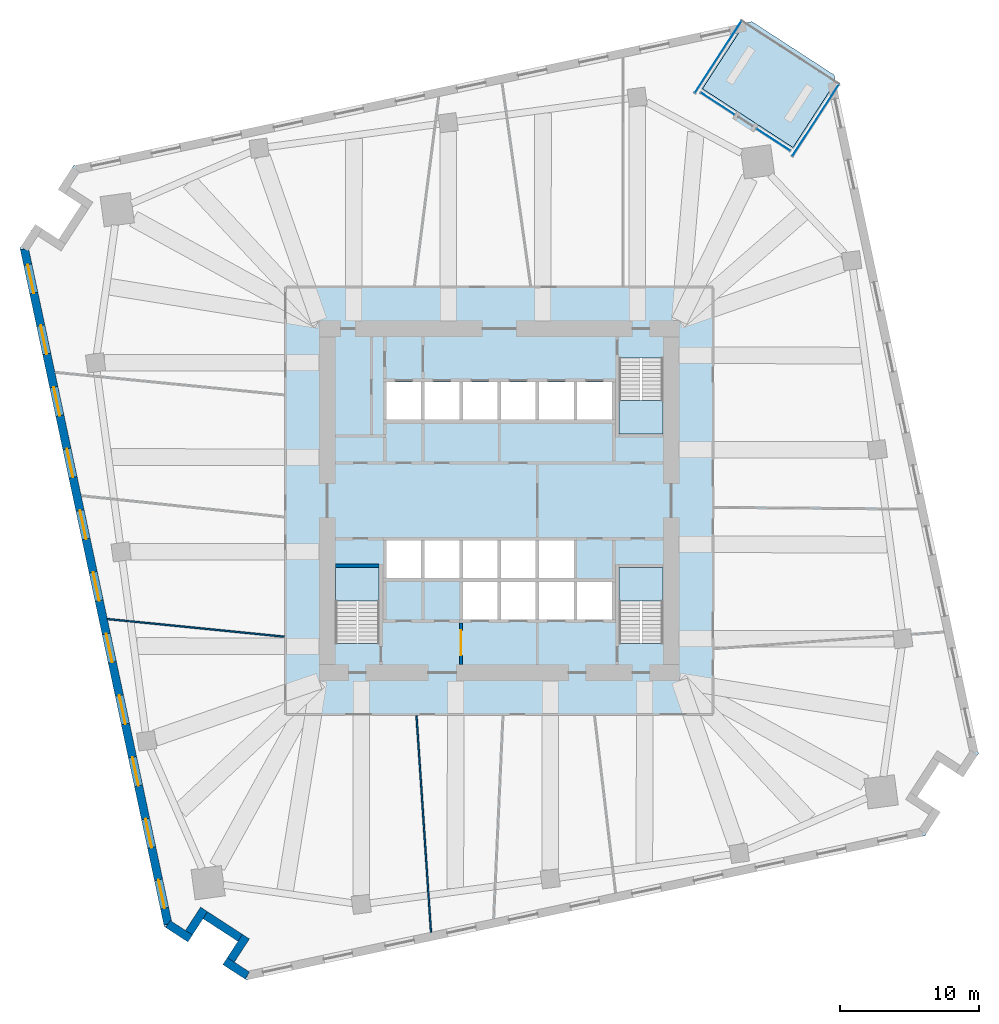
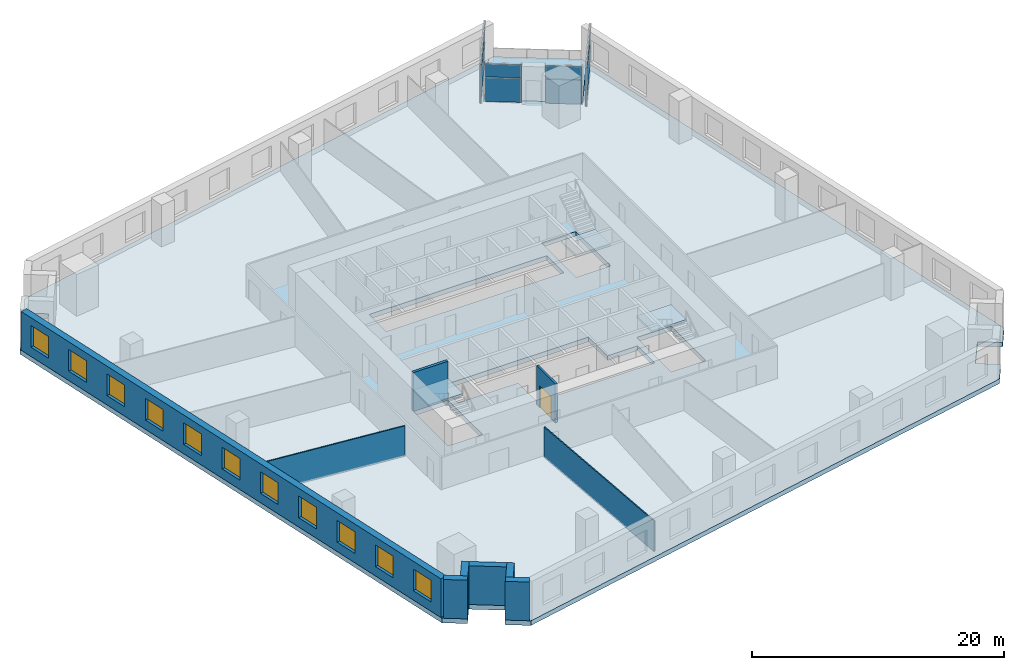
# One storey, part 3 of 10: 11 windows, 10 walls, 8 plates, 5 slabs, 1 door, 12 openings, 7 elements without a shape of their own.
"""IFC4 building model written with IfcOpenShell, lengths in metres."""

from ifc_helpers import new_model, si_unit, direction, frame, frame_2d, origin, origin_2d, place, context, subcontext, project, spatial, polyline, rectangle, outline, extrude, material, layer, layer_set, type_object, element, fill, aggregate, save


model = new_model("IFC4")

# Units and contexts
model_context = context("Model", 3, precision=1e-05, world=origin(), true_north=direction((0.0, 1.0)))
body_context = subcontext(model_context, "Body", "Model", "MODEL_VIEW")
ifc_project = project(units=[si_unit("LENGTHUNIT", "METRE"), si_unit("AREAUNIT", "SQUARE_METRE"), si_unit("VOLUMEUNIT", "CUBIC_METRE"), si_unit("PLANEANGLEUNIT", "RADIAN"), si_unit("MASSUNIT", "GRAM", prefix="KILO")], contexts=[model_context])

# Site, building, storey
site_placement = place(None, origin())
site = spatial("IfcSite", under=ifc_project, at=site_placement, CompositionType="ELEMENT")
building_placement = place(site_placement, origin())
building = spatial("IfcBuilding", under=site, at=building_placement, Name="Dilmun Exchange Tower", CompositionType="ELEMENT")
storey_placement = place(building_placement, frame((0.0, 0.0, 72.300048828125)))
storey = spatial("IfcBuildingStorey", under=building, at=storey_placement, Name="L16", CompositionType="ELEMENT", Elevation=72.300048828125)

# Stair, slab
ifc_material_1 = material(Name="Concrete C40/50", Category="concrete")
stair_type = type_object("IfcStairType", Name="Exit stair 1500 half-turn", PredefinedType="HALF_TURN_STAIR", material=ifc_material_1)
stair_1_placement = place(storey_placement, origin())
stair_1 = element("IfcStair", 1, at=stair_1_placement, inside=storey, type_object=stair_type, Name="L16 Protected exit stair ST1", PredefinedType="HALF_TURN_STAIR")
ifc_layer_1 = layer(ifc_material_1, 0.199951171875)
ifc_layer_set_1 = layer_set([ifc_layer_1], Name="Concrete C40/50")
slab_type_1 = type_object("IfcSlabType", Name="Exit stair landing 200", PredefinedType="LANDING", material=ifc_layer_set_1)
slab_1_placement = place(storey_placement, frame((0.0, 0.0, 1.89990234375)))
slab_1 = element("IfcSlab", 2, at=slab_1_placement, type_object=slab_type_1, Name="ST1 landing 1", PredefinedType="LANDING", context=body_context, shape_type="SweptSolid", body=[
    extrude(outline(polyline([(8.64990234375, 7.219970703125), (8.64990234375, 4.800048828125), (11.800048828125, 4.800048828125), (11.800048828125, 7.219970703125), (8.64990234375, 7.219970703125)])), origin(), (0.0, 0.0, 1.0), 0.199951171875),
])
aggregate(stair_1, [slab_1])

stair_2_placement = place(storey_placement, origin())
stair_2 = element("IfcStair", 3, at=stair_2_placement, inside=storey, type_object=stair_type, Name="L16 Protected exit stair ST2", PredefinedType="HALF_TURN_STAIR")
slab_2_placement = place(storey_placement, frame((0.0, 0.0, 1.89990234375)))
slab_2 = element("IfcSlab", 4, at=slab_2_placement, type_object=slab_type_1, Name="ST2 landing 1", PredefinedType="LANDING", context=body_context, shape_type="SweptSolid", body=[
    extrude(outline(polyline([(-8.64990234375, -7.219970703125), (-8.64990234375, -4.800048828125), (-11.800048828125, -4.800048828125), (-11.800048828125, -7.219970703125), (-8.64990234375, -7.219970703125)])), origin(), (0.0, 0.0, 1.0), 0.199951171875),
])
aggregate(stair_2, [slab_2])

stair_3_placement = place(storey_placement, origin())
stair_3 = element("IfcStair", 5, at=stair_3_placement, inside=storey, type_object=stair_type, Name="L16 Protected exit stair ST3", PredefinedType="HALF_TURN_STAIR")
slab_3_placement = place(storey_placement, frame((0.0, 0.0, 1.89990234375)))
slab_3 = element("IfcSlab", 6, at=slab_3_placement, type_object=slab_type_1, Name="ST3 landing 1", PredefinedType="LANDING", context=body_context, shape_type="SweptSolid", body=[
    extrude(outline(polyline([(11.800048828125, -7.219970703125), (11.800048828125, -4.800048828125), (8.64990234375, -4.800048828125), (8.64990234375, -7.219970703125), (11.800048828125, -7.219970703125)])), origin(), (0.0, 0.0, 1.0), 0.199951171875),
])
aggregate(stair_3, [slab_3])

# Curtain wall, plates
ifc_material_2 = material(Name="Anodised aluminium and clear glass", Category="aluminium")
curtain_wall_type = type_object("IfcCurtainWallType", Name="Garden corner glazing", PredefinedType="NOTDEFINED", material=ifc_material_2)
curtain_wall_1_placement = place(storey_placement, origin())
curtain_wall_1 = element("IfcCurtainWall", 7, at=curtain_wall_1_placement, inside=storey, type_object=curtain_wall_type, Name="Garden corner glazing run GC1.1", PredefinedType="NOTDEFINED")
ifc_material_3 = material(Name="Clear glass", Category="glass")
ifc_layer_2 = layer(ifc_material_3, 0.028076171875)
ifc_layer_set_2 = layer_set([ifc_layer_2], Name="Clear glass")
plate_type = type_object("IfcPlateType", Name="Garden corner glazing glass panel 28", PredefinedType="CURTAIN_PANEL", material=ifc_layer_set_2)
plate_1_placement = place(storey_placement, frame((22.80126953125, 27.419189453125, 0.059814453125), z_axis=(0.0, 0.0, 1.0), x_axis=(-0.544644489647, -0.838667025641, 0.0)))
plate_1 = element("IfcPlate", 8, at=plate_1_placement, type_object=plate_type, Name="GC1.1 panel 1.1", PredefinedType="CURTAIN_PANEL", context=body_context, shape_type="SweptSolid", body=[
    extrude(rectangle(XDim=6.12646484375, YDim=0.028076171875, at=origin_2d()), origin(), (0.0, 0.0, 1.0), 2.31005859375),
])
plate_2_placement = place(storey_placement, frame((22.80126953125, 27.419189453125, 2.43017578125), z_axis=(0.0, 0.0, 1.0), x_axis=(-0.544644489647, -0.838667025641, 0.0)))
plate_2 = element("IfcPlate", 9, at=plate_2_placement, type_object=plate_type, Name="GC1.1 panel 1.2", PredefinedType="CURTAIN_PANEL", context=body_context, shape_type="SweptSolid", body=[
    extrude(rectangle(XDim=6.12646484375, YDim=0.028076171875, at=origin_2d()), origin(), (0.0, 0.0, 1.0), 1.260009765625),
])
aggregate(curtain_wall_1, [plate_1, plate_2])

curtain_wall_2_placement = place(storey_placement, origin())
curtain_wall_2 = element("IfcCurtainWall", 10, at=curtain_wall_2_placement, inside=storey, type_object=curtain_wall_type, Name="Garden corner glazing run GC2.1", PredefinedType="NOTDEFINED")
plate_3_placement = place(storey_placement, frame((19.758544921875, 26.02880859375, 0.059814453125), z_axis=(0.0, 0.0, 1.0), x_axis=(-0.838675909601, 0.544630809498, 0.0)))
plate_3 = element("IfcPlate", 11, at=plate_3_placement, type_object=plate_type, Name="GC2.1 panel 1.1", PredefinedType="CURTAIN_PANEL", context=body_context, shape_type="SweptSolid", body=[
    extrude(rectangle(XDim=2.868896484375, YDim=0.028076171875, at=origin_2d()), origin(), (0.0, 0.0, 1.0), 2.31005859375),
])
plate_4_placement = place(storey_placement, frame((19.758544921875, 26.02880859375, 2.43017578125), z_axis=(0.0, 0.0, 1.0), x_axis=(-0.838675909601, 0.544630809498, 0.0)))
plate_4 = element("IfcPlate", 12, at=plate_4_placement, type_object=plate_type, Name="GC2.1 panel 1.2", PredefinedType="CURTAIN_PANEL", context=body_context, shape_type="SweptSolid", body=[
    extrude(rectangle(XDim=2.868896484375, YDim=0.028076171875, at=origin_2d()), origin(), (0.0, 0.0, 1.0), 1.260009765625),
])
aggregate(curtain_wall_2, [plate_3, plate_4])

curtain_wall_3_placement = place(storey_placement, origin())
curtain_wall_3 = element("IfcCurtainWall", 13, at=curtain_wall_3_placement, inside=storey, type_object=curtain_wall_type, Name="Garden corner glazing run GC2.3", PredefinedType="NOTDEFINED")
plate_5_placement = place(storey_placement, frame((15.741943359375, 28.63720703125, 0.059814453125), z_axis=(0.0, 0.0, 1.0), x_axis=(-0.838670551957, 0.544639059635, 0.0)))
plate_5 = element("IfcPlate", 14, at=plate_5_placement, type_object=plate_type, Name="GC2.3 panel 1.1", PredefinedType="CURTAIN_PANEL", context=body_context, shape_type="SweptSolid", body=[
    extrude(rectangle(XDim=2.869140625, YDim=0.028076171875, at=origin_2d()), origin(), (0.0, 0.0, 1.0), 2.31005859375),
])
plate_6_placement = place(storey_placement, frame((15.741943359375, 28.63720703125, 2.43017578125), z_axis=(0.0, 0.0, 1.0), x_axis=(-0.838670551957, 0.544639059635, 0.0)))
plate_6 = element("IfcPlate", 15, at=plate_6_placement, type_object=plate_type, Name="GC2.3 panel 1.2", PredefinedType="CURTAIN_PANEL", context=body_context, shape_type="SweptSolid", body=[
    extrude(rectangle(XDim=2.869140625, YDim=0.028076171875, at=origin_2d()), origin(), (0.0, 0.0, 1.0), 1.260009765625),
])
aggregate(curtain_wall_3, [plate_5, plate_6])

curtain_wall_4_placement = place(storey_placement, origin())
curtain_wall_4 = element("IfcCurtainWall", 16, at=curtain_wall_4_placement, inside=storey, type_object=curtain_wall_type, Name="Garden corner glazing run GC3.1", PredefinedType="NOTDEFINED")
plate_7_placement = place(storey_placement, frame((15.774658203125, 31.982421875, 0.059814453125), z_axis=(0.0, 0.0, 1.0), x_axis=(0.544637177185, 0.838671774431, 0.0)))
plate_7 = element("IfcPlate", 17, at=plate_7_placement, type_object=plate_type, Name="GC3.1 panel 1.1", PredefinedType="CURTAIN_PANEL", context=body_context, shape_type="SweptSolid", body=[
    extrude(rectangle(XDim=6.12646484375, YDim=0.028076171875, at=origin_2d()), origin(), (0.0, 0.0, 1.0), 2.31005859375),
])
plate_8_placement = place(storey_placement, frame((15.774658203125, 31.982421875, 2.43017578125), z_axis=(0.0, 0.0, 1.0), x_axis=(0.544637177185, 0.838671774431, 0.0)))
plate_8 = element("IfcPlate", 18, at=plate_8_placement, type_object=plate_type, Name="GC3.1 panel 1.2", PredefinedType="CURTAIN_PANEL", context=body_context, shape_type="SweptSolid", body=[
    extrude(rectangle(XDim=6.12646484375, YDim=0.028076171875, at=origin_2d()), origin(), (0.0, 0.0, 1.0), 1.260009765625),
])
aggregate(curtain_wall_4, [plate_7, plate_8])

# Slabs
ifc_layer_3 = layer(ifc_material_1, 0.449951171875)
ifc_layer_set_3 = layer_set([ifc_layer_3], Name="Concrete C40/50")
slab_type_2 = type_object("IfcSlabType", Name="RC floor slab 450", PredefinedType="FLOOR", material=ifc_layer_set_3)
slab_4_placement = place(storey_placement, frame((0.0, 0.0, -0.449951171875)))
element("IfcSlab", 19, at=slab_4_placement, inside=storey, type_object=slab_type_2, Name="Floor slab", PredefinedType="FLOOR", context=body_context, shape_type="SweptSolid", body=[
    extrude(outline(polyline([(33.43359375, -19.923583984375), (31.756103515625, -18.834228515625), (30.122314453125, -21.35009765625), (31.7998046875, -22.439453125), (30.69091796875, -24.146484375), (-18.21630859375, -34.542236328125), (-19.923583984375, -33.43359375), (-18.834228515625, -31.756103515625), (-21.35009765625, -30.122314453125), (-22.439453125, -31.7998046875), (-24.146484375, -30.69091796875), (-34.542236328125, 18.21630859375), (-33.43359375, 19.923583984375), (-31.756103515625, 18.834228515625), (-30.122314453125, 21.35009765625), (-31.7998046875, 22.439453125), (-30.69091796875, 24.146484375), (17.727294921875, 34.438232421875), (14.652099609375, 29.702880859375), (21.17529296875, 25.466552734375), (24.25048828125, 30.201904296875), (34.542236328125, -18.21630859375), (33.43359375, -19.923583984375)]), holes=[polyline([(-8.64990234375, -4.800048828125), (-11.800048828125, -4.800048828125), (-11.800048828125, -10.294921875), (-8.64990234375, -10.294921875), (-8.64990234375, -4.800048828125)]), polyline([(11.800048828125, -4.800048828125), (8.64990234375, -4.800048828125), (8.64990234375, -10.294921875), (11.800048828125, -10.294921875), (11.800048828125, -4.800048828125)]), polyline([(-8.125, -2.85009765625), (-8.125, -5.550048828125), (-2.625, -5.550048828125), (-2.625, -8.550048828125), (8.125, -8.550048828125), (8.125, -5.85009765625), (5.375, -5.85009765625), (5.375, -2.85009765625), (-8.125, -2.85009765625)]), polyline([(-8.125, 5.85009765625), (8.125, 5.85009765625), (8.125, 8.550048828125), (-8.125, 8.550048828125), (-8.125, 5.85009765625)]), polyline([(8.64990234375, 10.294921875), (8.64990234375, 4.800048828125), (11.800048828125, 4.800048828125), (11.800048828125, 10.294921875), (8.64990234375, 10.294921875)])]), origin(), (0.0, 0.0, 1.0), 0.449951171875),
])
ifc_layer_4 = layer(ifc_material_1, 0.300048828125)
ifc_layer_set_4 = layer_set([ifc_layer_4], Name="Concrete C40/50")
slab_type_3 = type_object("IfcSlabType", Name="RC garden terrace slab 300", PredefinedType="FLOOR", material=ifc_layer_set_4)
slab_5_placement = place(storey_placement, frame((0.0, 0.0, -0.300048828125)))
element("IfcSlab", 20, at=slab_5_placement, inside=storey, type_object=slab_type_3, Name="Garden terrace slab", PredefinedType="FLOOR", context=body_context, shape_type="SweptSolid", body=[
    extrude(outline(polyline([(14.652099609375, 29.702880859375), (17.727294921875, 34.438232421875), (18.21630859375, 34.542236328125), (24.146484375, 30.69091796875), (24.25048828125, 30.201904296875), (21.17529296875, 25.466552734375), (14.652099609375, 29.702880859375)])), origin(), (0.0, 0.0, 1.0), 0.300048828125),
])

# Wall, opening, door
ifc_layer_5 = layer(ifc_material_1, 0.199951171875)
ifc_layer_set_5 = layer_set([ifc_layer_5], Name="Concrete C40/50")
wall_type_1 = type_object("IfcWallType", Name="Core partition wall 200", PredefinedType="PARTITIONING", material=ifc_layer_set_5)
wall_1_placement = place(storey_placement, frame((-2.75, -11.794921875, 0.0), z_axis=(0.0, 0.0, 1.0), x_axis=(0.0, 1.0, 0.0)))
wall_1 = element("IfcWall", 21, at=wall_1_placement, inside=storey, type_object=wall_type_1, Name="L16 core partition wall 01", PredefinedType="PARTITIONING", context=body_context, shape_type="SweptSolid", body=[
    extrude(rectangle(XDim=2.989990234375, YDim=0.199951171875, at=frame_2d((1.4951171875, 0.0))), origin(), (0.0, 0.0, 1.0), 3.75),
])
opening_1_placement = place(wall_1_placement, frame((0.657470703125, 0.0, 0.0)))
opening_1 = element("IfcOpeningElement", 22, at=opening_1_placement, cuts=wall_1, Name="Opening CD5", PredefinedType="OPENING", context=body_context, shape_type="SweptSolid", body=[
    extrude(rectangle(XDim=1.800048828125, YDim=2.10009765625, at=frame_2d((0.89990234375, 1.050048828125))), frame((0.0, 0.10986328125, 0.0), z_axis=(0.0, -1.0, 0.0), x_axis=(1.0, 0.0, 0.0)), (0.0, 0.0, 1.0), 0.219970703125),
])
ifc_material_4 = material(Name="Fire-rated steel door set", Category="steel")
door_type = type_object("IfcDoorType", Name="Stair exit door 1800x2100", OperationType="SINGLE_SWING_LEFT", PredefinedType="DOOR", material=ifc_material_4)
door_placement = place(opening_1_placement, origin())
door = element("IfcDoor", 23, at=door_placement, inside=storey, type_object=door_type, Name="L16 door Service lobby east", OperationType="SINGLE_SWING_LEFT", OverallHeight=2.10009765625, OverallWidth=1.800048828125, PredefinedType="DOOR", context=body_context, shape_type="SweptSolid", body=[
    extrude(rectangle(XDim=1.800048828125, YDim=2.10009765625, at=frame_2d((0.89990234375, 1.050048828125))), frame((0.0, 0.02490234375, 0.0), z_axis=(0.0, -1.0, 0.0), x_axis=(1.0, 0.0, 0.0)), (0.0, 0.0, 1.0), 0.050048828125),
])
fill(opening_1, door)

# Walls
ifc_material_5 = material(Name="Partition 100")
ifc_layer_6 = layer(ifc_material_5, 0.10009765625)
ifc_layer_set_6 = layer_set([ifc_layer_6], Name="Partition 100")
wall_type_2 = type_object("IfcWallType", Name="Partition 100", PredefinedType="PARTITIONING", material=ifc_layer_set_6)
wall_2_placement = place(storey_placement, frame((-28.2431640625, -8.522705078125, 0.0), z_axis=(0.0, 0.0, 1.0), x_axis=(0.995068800652, -0.099187105861, 0.0)))
element("IfcWall", 24, at=wall_2_placement, inside=storey, type_object=wall_type_2, Name="Partition", PredefinedType="PARTITIONING", context=body_context, shape_type="SweptSolid", body=[
    extrude(rectangle(XDim=12.826416015625, YDim=0.10009765625, at=frame_2d((6.4130859375, 0.0))), origin(), (0.0, 0.0, 1.0), 2.949951171875),
])
wall_3_placement = place(storey_placement, frame((-5.9638671875, -15.478271484375, 0.0), z_axis=(0.0, 0.0, 1.0), x_axis=(0.066754978286, -0.997769398646, 0.0)))
element("IfcWall", 25, at=wall_3_placement, inside=storey, type_object=wall_type_2, Name="Partition", PredefinedType="PARTITIONING", context=body_context, shape_type="SweptSolid", body=[
    extrude(rectangle(XDim=15.65673828125, YDim=0.10009765625, at=frame_2d((7.828369140625, 0.0))), origin(), (0.0, 0.0, 1.0), 2.949951171875),
])

# Wall, openings, windows
ifc_material_6 = material(Name="Precast concrete C50/60", Category="concrete")
ifc_layer_7 = layer(ifc_material_6, 0.60009765625)
ifc_layer_set_7 = layer_set([ifc_layer_7], Name="Precast concrete C50/60")
wall_type_3 = type_object("IfcWallType", Name="Precast stone-clad wall 600", PredefinedType="STANDARD", material=ifc_layer_set_7)
wall_4_placement = place(storey_placement, frame((-34.222900390625, 18.1572265625, 0.0), z_axis=(0.0, 0.0, 1.0), x_axis=(0.207913160934, -0.97814728825, 0.0)))
wall_4 = element("IfcWall", 26, at=wall_4_placement, inside=storey, type_object=wall_type_3, Name="Facade wall L16-09", PredefinedType="STANDARD", context=body_context, shape_type="SweptSolid", body=[
    extrude(rectangle(XDim=49.75146484375, YDim=0.60009765625, at=frame_2d((24.875732421875, 0.0))), origin(), (0.0, 0.0, 1.0), 3.75),
])
opening_2_placement = place(wall_4_placement, frame((1.16064453125, 0.0, 0.89990234375)))
opening_2 = element("IfcOpeningElement", 27, at=opening_2_placement, cuts=wall_4, Name="Opening W210-210", PredefinedType="OPENING", context=body_context, shape_type="SweptSolid", body=[
    extrude(rectangle(XDim=2.10009765625, YDim=2.10009765625, at=frame_2d((1.050048828125, 1.050048828125))), frame((0.0, 0.31005859375, 0.0), z_axis=(0.0, -1.0, 0.0), x_axis=(1.0, 0.0, 0.0)), (0.0, 0.0, 1.0), 0.6201171875),
])
opening_3_placement = place(wall_4_placement, frame((5.643798828125, 0.0, 0.89990234375)))
opening_3 = element("IfcOpeningElement", 28, at=opening_3_placement, cuts=wall_4, Name="Opening W210-210", PredefinedType="OPENING", context=body_context, shape_type="SweptSolid", body=[
    extrude(rectangle(XDim=2.10009765625, YDim=2.10009765625, at=frame_2d((1.050048828125, 1.050048828125))), frame((0.0, 0.31005859375, 0.0), z_axis=(0.0, -1.0, 0.0), x_axis=(1.0, 0.0, 0.0)), (0.0, 0.0, 1.0), 0.6201171875),
])
opening_4_placement = place(wall_4_placement, frame((10.189453125, 0.0, 0.89990234375)))
opening_4 = element("IfcOpeningElement", 29, at=opening_4_placement, cuts=wall_4, Name="Opening W210-210", PredefinedType="OPENING", context=body_context, shape_type="SweptSolid", body=[
    extrude(rectangle(XDim=2.10009765625, YDim=2.10009765625, at=frame_2d((1.050048828125, 1.050048828125))), frame((0.0, 0.31005859375, 0.0), z_axis=(0.0, -1.0, 0.0), x_axis=(1.0, 0.0, 0.0)), (0.0, 0.0, 1.0), 0.6201171875),
])
opening_5_placement = place(wall_4_placement, frame((14.73486328125, 0.0, 0.89990234375)))
opening_5 = element("IfcOpeningElement", 30, at=opening_5_placement, cuts=wall_4, Name="Opening W210-210", PredefinedType="OPENING", context=body_context, shape_type="SweptSolid", body=[
    extrude(rectangle(XDim=2.10009765625, YDim=2.10009765625, at=frame_2d((1.050048828125, 1.050048828125))), frame((0.0, 0.31005859375, 0.0), z_axis=(0.0, -1.0, 0.0), x_axis=(1.0, 0.0, 0.0)), (0.0, 0.0, 1.0), 0.6201171875),
])
opening_6_placement = place(wall_4_placement, frame((19.2802734375, 0.0, 0.89990234375)))
opening_6 = element("IfcOpeningElement", 31, at=opening_6_placement, cuts=wall_4, Name="Opening W210-210", PredefinedType="OPENING", context=body_context, shape_type="SweptSolid", body=[
    extrude(rectangle(XDim=2.10009765625, YDim=2.10009765625, at=frame_2d((1.050048828125, 1.050048828125))), frame((0.0, 0.31005859375, 0.0), z_axis=(0.0, -1.0, 0.0), x_axis=(1.0, 0.0, 0.0)), (0.0, 0.0, 1.0), 0.6201171875),
])
opening_7_placement = place(wall_4_placement, frame((23.82568359375, 0.0, 0.89990234375)))
opening_7 = element("IfcOpeningElement", 32, at=opening_7_placement, cuts=wall_4, Name="Opening W210-210", PredefinedType="OPENING", context=body_context, shape_type="SweptSolid", body=[
    extrude(rectangle(XDim=2.10009765625, YDim=2.10009765625, at=frame_2d((1.050048828125, 1.050048828125))), frame((0.0, 0.31005859375, 0.0), z_axis=(0.0, -1.0, 0.0), x_axis=(1.0, 0.0, 0.0)), (0.0, 0.0, 1.0), 0.6201171875),
])
opening_8_placement = place(wall_4_placement, frame((28.37109375, 0.0, 0.89990234375)))
opening_8 = element("IfcOpeningElement", 33, at=opening_8_placement, cuts=wall_4, Name="Opening W210-210", PredefinedType="OPENING", context=body_context, shape_type="SweptSolid", body=[
    extrude(rectangle(XDim=2.10009765625, YDim=2.10009765625, at=frame_2d((1.050048828125, 1.050048828125))), frame((0.0, 0.31005859375, 0.0), z_axis=(0.0, -1.0, 0.0), x_axis=(1.0, 0.0, 0.0)), (0.0, 0.0, 1.0), 0.6201171875),
])
opening_9_placement = place(wall_4_placement, frame((32.91650390625, 0.0, 0.89990234375)))
opening_9 = element("IfcOpeningElement", 34, at=opening_9_placement, cuts=wall_4, Name="Opening W210-210", PredefinedType="OPENING", context=body_context, shape_type="SweptSolid", body=[
    extrude(rectangle(XDim=2.10009765625, YDim=2.10009765625, at=frame_2d((1.050048828125, 1.050048828125))), frame((0.0, 0.31005859375, 0.0), z_axis=(0.0, -1.0, 0.0), x_axis=(1.0, 0.0, 0.0)), (0.0, 0.0, 1.0), 0.6201171875),
])
opening_10_placement = place(wall_4_placement, frame((37.462158203125, 0.0, 0.89990234375)))
opening_10 = element("IfcOpeningElement", 35, at=opening_10_placement, cuts=wall_4, Name="Opening W210-210", PredefinedType="OPENING", context=body_context, shape_type="SweptSolid", body=[
    extrude(rectangle(XDim=2.10009765625, YDim=2.10009765625, at=frame_2d((1.050048828125, 1.050048828125))), frame((0.0, 0.31005859375, 0.0), z_axis=(0.0, -1.0, 0.0), x_axis=(1.0, 0.0, 0.0)), (0.0, 0.0, 1.0), 0.6201171875),
])
opening_11_placement = place(wall_4_placement, frame((42.007568359375, 0.0, 0.89990234375)))
opening_11 = element("IfcOpeningElement", 36, at=opening_11_placement, cuts=wall_4, Name="Opening W210-210", PredefinedType="OPENING", context=body_context, shape_type="SweptSolid", body=[
    extrude(rectangle(XDim=2.10009765625, YDim=2.10009765625, at=frame_2d((1.050048828125, 1.050048828125))), frame((0.0, 0.31005859375, 0.0), z_axis=(0.0, -1.0, 0.0), x_axis=(1.0, 0.0, 0.0)), (0.0, 0.0, 1.0), 0.6201171875),
])
opening_12_placement = place(wall_4_placement, frame((46.490966796875, 0.0, 0.89990234375)))
opening_12 = element("IfcOpeningElement", 37, at=opening_12_placement, cuts=wall_4, Name="Opening W210-210", PredefinedType="OPENING", context=body_context, shape_type="SweptSolid", body=[
    extrude(rectangle(XDim=2.10009765625, YDim=2.10009765625, at=frame_2d((1.050048828125, 1.050048828125))), frame((0.0, 0.31005859375, 0.0), z_axis=(0.0, -1.0, 0.0), x_axis=(1.0, 0.0, 0.0)), (0.0, 0.0, 1.0), 0.6201171875),
])
ifc_material_7 = material(Name="Clear low-emissivity glass in aluminium frame", Category="aluminium")
window_type = type_object("IfcWindowType", Name="Punched window 2100 x 2100", PartitioningType="DOUBLE_PANEL_VERTICAL", PredefinedType="WINDOW", material=ifc_material_7)
window_1_placement = place(opening_2_placement, origin())
window_1 = element("IfcWindow", 38, at=window_1_placement, inside=storey, type_object=window_type, Name="Window 10.1", OverallHeight=2.10009765625, OverallWidth=2.10009765625, PartitioningType="SINGLE_PANEL", PredefinedType="WINDOW", context=body_context, shape_type="SweptSolid", body=[
    extrude(rectangle(XDim=2.10009765625, YDim=2.10009765625, at=frame_2d((1.050048828125, 1.050048828125))), frame((0.0, 0.030029296875, 0.0), z_axis=(0.0, -1.0, 0.0), x_axis=(1.0, 0.0, 0.0)), (0.0, 0.0, 1.0), 0.06005859375),
])
fill(opening_2, window_1)
window_2_placement = place(opening_3_placement, origin())
window_2 = element("IfcWindow", 39, at=window_2_placement, inside=storey, type_object=window_type, Name="Window 10.2", OverallHeight=2.10009765625, OverallWidth=2.10009765625, PartitioningType="SINGLE_PANEL", PredefinedType="WINDOW", context=body_context, shape_type="SweptSolid", body=[
    extrude(rectangle(XDim=2.10009765625, YDim=2.10009765625, at=frame_2d((1.050048828125, 1.050048828125))), frame((0.0, 0.030029296875, 0.0), z_axis=(0.0, -1.0, 0.0), x_axis=(1.0, 0.0, 0.0)), (0.0, 0.0, 1.0), 0.06005859375),
])
fill(opening_3, window_2)
window_3_placement = place(opening_4_placement, origin())
window_3 = element("IfcWindow", 40, at=window_3_placement, inside=storey, type_object=window_type, Name="Window 10.3", OverallHeight=2.10009765625, OverallWidth=2.10009765625, PartitioningType="SINGLE_PANEL", PredefinedType="WINDOW", context=body_context, shape_type="SweptSolid", body=[
    extrude(rectangle(XDim=2.10009765625, YDim=2.10009765625, at=frame_2d((1.050048828125, 1.050048828125))), frame((0.0, 0.030029296875, 0.0), z_axis=(0.0, -1.0, 0.0), x_axis=(1.0, 0.0, 0.0)), (0.0, 0.0, 1.0), 0.06005859375),
])
fill(opening_4, window_3)
window_4_placement = place(opening_5_placement, origin())
window_4 = element("IfcWindow", 41, at=window_4_placement, inside=storey, type_object=window_type, Name="Window 10.4", OverallHeight=2.10009765625, OverallWidth=2.10009765625, PartitioningType="SINGLE_PANEL", PredefinedType="WINDOW", context=body_context, shape_type="SweptSolid", body=[
    extrude(rectangle(XDim=2.10009765625, YDim=2.10009765625, at=frame_2d((1.050048828125, 1.050048828125))), frame((0.0, 0.030029296875, 0.0), z_axis=(0.0, -1.0, 0.0), x_axis=(1.0, 0.0, 0.0)), (0.0, 0.0, 1.0), 0.06005859375),
])
fill(opening_5, window_4)
window_5_placement = place(opening_6_placement, origin())
window_5 = element("IfcWindow", 42, at=window_5_placement, inside=storey, type_object=window_type, Name="Window 10.5", OverallHeight=2.10009765625, OverallWidth=2.10009765625, PartitioningType="SINGLE_PANEL", PredefinedType="WINDOW", context=body_context, shape_type="SweptSolid", body=[
    extrude(rectangle(XDim=2.10009765625, YDim=2.10009765625, at=frame_2d((1.050048828125, 1.050048828125))), frame((0.0, 0.030029296875, 0.0), z_axis=(0.0, -1.0, 0.0), x_axis=(1.0, 0.0, 0.0)), (0.0, 0.0, 1.0), 0.06005859375),
])
fill(opening_6, window_5)
window_6_placement = place(opening_7_placement, origin())
window_6 = element("IfcWindow", 43, at=window_6_placement, inside=storey, type_object=window_type, Name="Window 10.6", OverallHeight=2.10009765625, OverallWidth=2.10009765625, PartitioningType="SINGLE_PANEL", PredefinedType="WINDOW", context=body_context, shape_type="SweptSolid", body=[
    extrude(rectangle(XDim=2.10009765625, YDim=2.10009765625, at=frame_2d((1.050048828125, 1.050048828125))), frame((0.0, 0.030029296875, 0.0), z_axis=(0.0, -1.0, 0.0), x_axis=(1.0, 0.0, 0.0)), (0.0, 0.0, 1.0), 0.06005859375),
])
fill(opening_7, window_6)
window_7_placement = place(opening_8_placement, origin())
window_7 = element("IfcWindow", 44, at=window_7_placement, inside=storey, type_object=window_type, Name="Window 10.7", OverallHeight=2.10009765625, OverallWidth=2.10009765625, PartitioningType="SINGLE_PANEL", PredefinedType="WINDOW", context=body_context, shape_type="SweptSolid", body=[
    extrude(rectangle(XDim=2.10009765625, YDim=2.10009765625, at=frame_2d((1.050048828125, 1.050048828125))), frame((0.0, 0.030029296875, 0.0), z_axis=(0.0, -1.0, 0.0), x_axis=(1.0, 0.0, 0.0)), (0.0, 0.0, 1.0), 0.06005859375),
])
fill(opening_8, window_7)
window_8_placement = place(opening_9_placement, origin())
window_8 = element("IfcWindow", 45, at=window_8_placement, inside=storey, type_object=window_type, Name="Window 10.8", OverallHeight=2.10009765625, OverallWidth=2.10009765625, PartitioningType="SINGLE_PANEL", PredefinedType="WINDOW", context=body_context, shape_type="SweptSolid", body=[
    extrude(rectangle(XDim=2.10009765625, YDim=2.10009765625, at=frame_2d((1.050048828125, 1.050048828125))), frame((0.0, 0.030029296875, 0.0), z_axis=(0.0, -1.0, 0.0), x_axis=(1.0, 0.0, 0.0)), (0.0, 0.0, 1.0), 0.06005859375),
])
fill(opening_9, window_8)
window_9_placement = place(opening_10_placement, origin())
window_9 = element("IfcWindow", 46, at=window_9_placement, inside=storey, type_object=window_type, Name="Window 10.9", OverallHeight=2.10009765625, OverallWidth=2.10009765625, PartitioningType="SINGLE_PANEL", PredefinedType="WINDOW", context=body_context, shape_type="SweptSolid", body=[
    extrude(rectangle(XDim=2.10009765625, YDim=2.10009765625, at=frame_2d((1.050048828125, 1.050048828125))), frame((0.0, 0.030029296875, 0.0), z_axis=(0.0, -1.0, 0.0), x_axis=(1.0, 0.0, 0.0)), (0.0, 0.0, 1.0), 0.06005859375),
])
fill(opening_10, window_9)
window_10_placement = place(opening_11_placement, origin())
window_10 = element("IfcWindow", 47, at=window_10_placement, inside=storey, type_object=window_type, Name="Window 10.10", OverallHeight=2.10009765625, OverallWidth=2.10009765625, PartitioningType="SINGLE_PANEL", PredefinedType="WINDOW", context=body_context, shape_type="SweptSolid", body=[
    extrude(rectangle(XDim=2.10009765625, YDim=2.10009765625, at=frame_2d((1.050048828125, 1.050048828125))), frame((0.0, 0.030029296875, 0.0), z_axis=(0.0, -1.0, 0.0), x_axis=(1.0, 0.0, 0.0)), (0.0, 0.0, 1.0), 0.06005859375),
])
fill(opening_11, window_10)
window_11_placement = place(opening_12_placement, origin())
window_11 = element("IfcWindow", 48, at=window_11_placement, inside=storey, type_object=window_type, Name="Window 10.11", OverallHeight=2.10009765625, OverallWidth=2.10009765625, PartitioningType="SINGLE_PANEL", PredefinedType="WINDOW", context=body_context, shape_type="SweptSolid", body=[
    extrude(rectangle(XDim=2.10009765625, YDim=2.10009765625, at=frame_2d((1.050048828125, 1.050048828125))), frame((0.0, 0.030029296875, 0.0), z_axis=(0.0, -1.0, 0.0), x_axis=(1.0, 0.0, 0.0)), (0.0, 0.0, 1.0), 0.06005859375),
])
fill(opening_12, window_11)

# Walls
wall_5_placement = place(storey_placement, frame((-23.87890625, -30.507080078125, 0.0), z_axis=(0.0, 0.0, 1.0), x_axis=(0.838633271825, -0.5446964617, 0.0)))
element("IfcWall", 49, at=wall_5_placement, inside=storey, type_object=wall_type_3, Name="Facade wall L16-10", PredefinedType="STANDARD", context=body_context, shape_type="SweptSolid", body=[
    extrude(rectangle(XDim=1.9111328125, YDim=0.60009765625, at=frame_2d((0.95556640625, 0.0))), origin(), (0.0, 0.0, 1.0), 3.75),
])
wall_6_placement = place(storey_placement, frame((-22.3642578125, -31.133056640625, 0.0), z_axis=(0.0, 0.0, 1.0), x_axis=(0.54468796124, 0.838638792855, 0.0)))
element("IfcWall", 50, at=wall_6_placement, inside=storey, type_object=wall_type_3, Name="Facade wall L16-11", PredefinedType="STANDARD", context=body_context, shape_type="SweptSolid", body=[
    extrude(rectangle(XDim=2.0, YDim=0.60009765625, at=frame_2d((1.0, 0.0))), origin(), (0.0, 0.0, 1.0), 3.75),
])
wall_7_placement = place(storey_placement, frame((-21.186767578125, -29.87060546875, 0.0), z_axis=(0.0, 0.0, 1.0), x_axis=(0.838638792855, -0.54468796124, 0.0)))
element("IfcWall", 51, at=wall_7_placement, inside=storey, type_object=wall_type_3, Name="Facade wall L16-12", PredefinedType="STANDARD", context=body_context, shape_type="SweptSolid", body=[
    extrude(rectangle(XDim=3.0, YDim=0.60009765625, at=frame_2d((1.5, 0.0))), origin(), (0.0, 0.0, 1.0), 3.75),
])
wall_8_placement = place(storey_placement, frame((-18.255859375, -31.41650390625, 0.0), z_axis=(0.0, 0.0, 1.0), x_axis=(-0.54468796124, -0.838638792855, 0.0)))
element("IfcWall", 52, at=wall_8_placement, inside=storey, type_object=wall_type_3, Name="Facade wall L16-13", PredefinedType="STANDARD", context=body_context, shape_type="SweptSolid", body=[
    extrude(rectangle(XDim=2.0, YDim=0.60009765625, at=frame_2d((1.0, 0.0))), origin(), (0.0, 0.0, 1.0), 3.75),
])
wall_9_placement = place(storey_placement, frame((-19.760009765625, -33.181884765625, 0.0), z_axis=(0.0, 0.0, 1.0), x_axis=(0.838633271825, -0.5446964617, 0.0)))
element("IfcWall", 53, at=wall_9_placement, inside=storey, type_object=wall_type_3, Name="Facade wall L16-14", PredefinedType="STANDARD", context=body_context, shape_type="SweptSolid", body=[
    extrude(rectangle(XDim=1.9111328125, YDim=0.60009765625, at=frame_2d((0.95556640625, 0.0))), origin(), (0.0, 0.0, 1.0), 3.75),
])
ifc_layer_8 = layer(ifc_material_1, 0.25)
ifc_layer_set_8 = layer_set([ifc_layer_8], Name="Concrete C40/50")
wall_type_4 = type_object("IfcWallType", Name="Stair end wall 250", PredefinedType="SOLIDWALL", material=ifc_layer_set_8)
wall_10_placement = place(storey_placement, frame((-8.64990234375, -4.675048828125, 0.0), z_axis=(0.0, 0.0, 1.0), x_axis=(-1.0, 0.0, 0.0)))
element("IfcWall", 54, at=wall_10_placement, inside=storey, type_object=wall_type_4, Name="L16 ST2 far wall", PredefinedType="SOLIDWALL", context=body_context, shape_type="SweptSolid", body=[
    extrude(rectangle(XDim=3.150146484375, YDim=0.25, at=frame_2d((1.5751953125, 0.0))), origin(), (0.0, 0.0, 1.0), 3.75),
])

save(model, "model.ifc")
